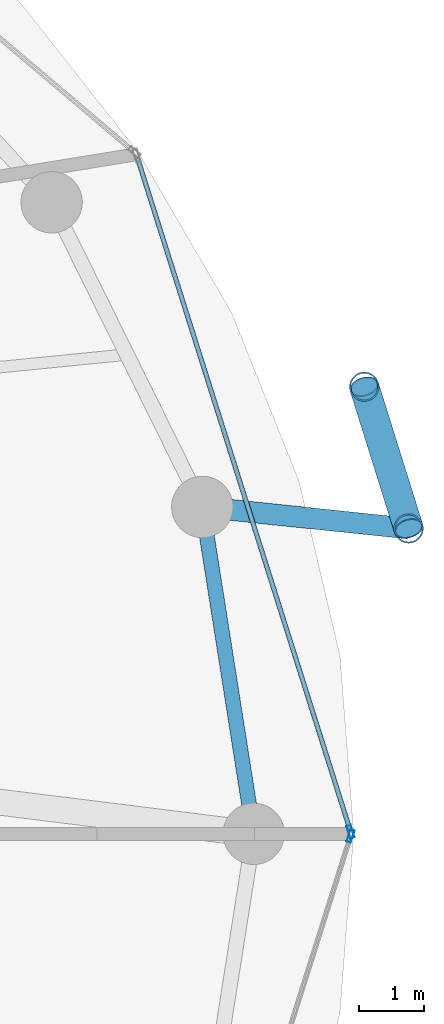
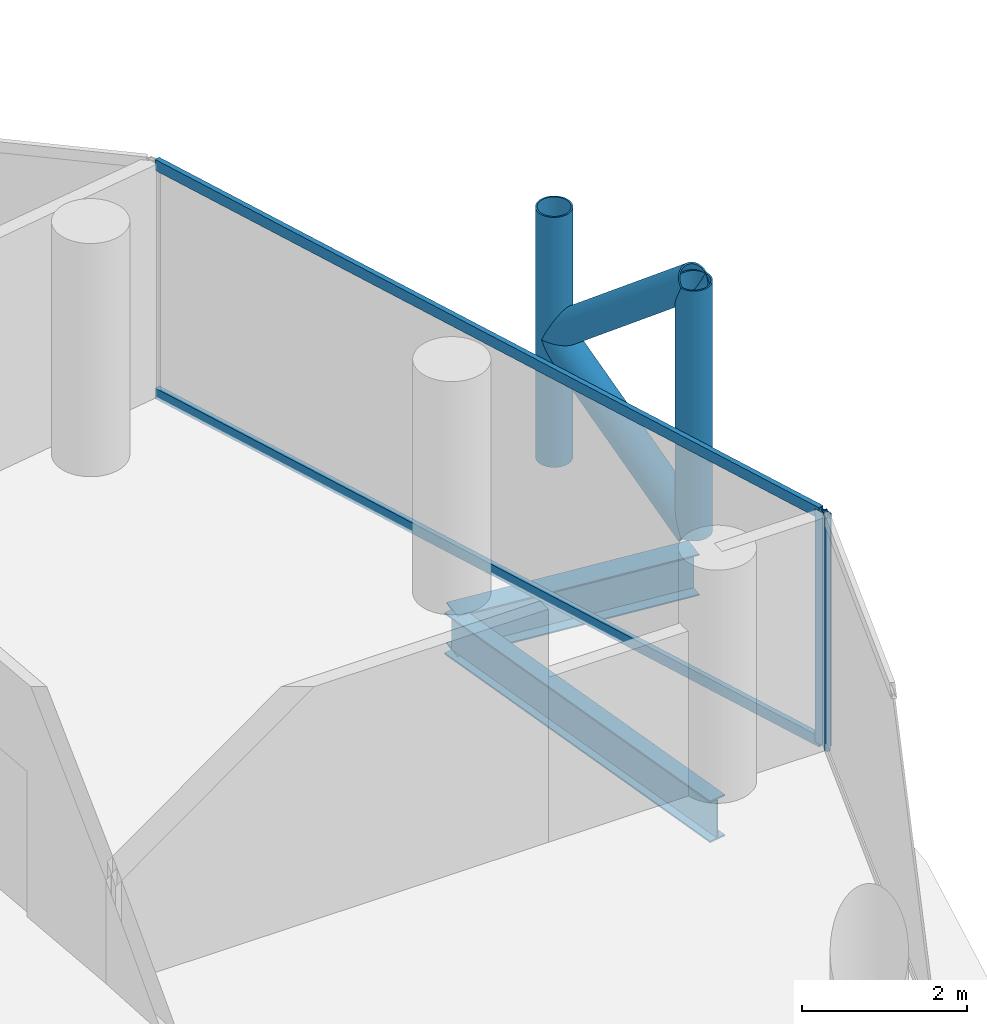
# One storey, part 12 of 26: 8 members, 2 beams, 2 elements without a shape of their own.
"""IFC4 building model written with IfcOpenShell, lengths in metres."""

from ifc_helpers import new_model, si_unit, direction, frame, origin, origin_2d, place, context, subcontext, project, spatial, hollow_rectangle, hollow_circle, i_section, extrude, material, layer, layer_set, material_profile, profile_set, type_object, element, aggregate, save


model = new_model("IFC4")

# Units and contexts
model_context = context("Model", 3, precision=1e-05, world=origin(), true_north=direction((0.0, 1.0)))
body_context = subcontext(model_context, "Body", "Model", "MODEL_VIEW")
ifc_project = project(units=[si_unit("LENGTHUNIT", "METRE"), si_unit("AREAUNIT", "SQUARE_METRE"), si_unit("VOLUMEUNIT", "CUBIC_METRE"), si_unit("PLANEANGLEUNIT", "RADIAN"), si_unit("MASSUNIT", "GRAM", prefix="KILO")], contexts=[model_context])

# Site, building, storey
site_placement = place(None, origin())
site = spatial("IfcSite", under=ifc_project, at=site_placement, CompositionType="ELEMENT")
building_placement = place(site_placement, origin())
building = spatial("IfcBuilding", under=site, at=building_placement, Name="Nuhasar Tower", CompositionType="ELEMENT")
storey_placement = place(building_placement, frame((0.0, 0.0, 188.550048828125)))
storey = spatial("IfcBuildingStorey", under=building, at=storey_placement, Name="L46", CompositionType="ELEMENT", Elevation=188.550048828125)

# Beams
ifc_material_1 = material(Name="Steel S355", Category="steel")
ifc_material_profile_1 = material_profile(ifc_material_1, i_section(OverallWidth=0.22998046875, OverallDepth=0.616943359375, WebThickness=0.01318359375, FlangeThickness=0.022216796875, at=origin_2d()), Name="W24X94")
ifc_profile_set_1 = profile_set([ifc_material_profile_1], Name="Steel S355")
beam_type_1 = type_object("IfcBeamType", Name="BM-RING-W24X94", PredefinedType="SPANDREL", material=ifc_profile_set_1)
beam_1_placement = place(storey_placement, frame((62.35009765625, 26.800048828125, -0.55810546875), z_axis=(-0.155426543608, 0.987847452566, 0.0), x_axis=(-0.987847452566, -0.155426543608, 0.0)))
element("IfcBeam", 1, at=beam_1_placement, inside=storey, type_object=beam_type_1, Name="L46 Perimeter Ring Spandrel 01", PredefinedType="SPANDREL", context=body_context, shape_type="SweptSolid", body=[
    extrude(i_section(OverallWidth=0.22998046875, OverallDepth=0.616943359375, WebThickness=0.01318359375, FlangeThickness=0.022216796875, at=origin_2d()), origin(), (0.0, 0.0, 1.0), 5.122314453125),
])
ifc_material_profile_2 = material_profile(ifc_material_1, i_section(OverallWidth=0.323974609375, OverallDepth=0.611083984375, WebThickness=0.0126953125, FlangeThickness=0.01904296875, at=origin_2d()), Name="W24X104")
ifc_profile_set_2 = profile_set([ifc_material_profile_2], Name="Steel S355")
beam_type_2 = type_object("IfcBeamType", Name="BM-TIE-W24X104", PredefinedType="BEAM", material=ifc_profile_set_2)
beam_2_placement = place(storey_placement, frame((61.553955078125, 31.860107421875, -0.554931640625), z_axis=(0.994569828715, -0.104071397654, 0.0), x_axis=(0.104071397654, 0.994569828715, 0.0)))
element("IfcBeam", 2, at=beam_2_placement, inside=storey, type_object=beam_type_2, Name="L46 Exoskeleton Node Tie Beam 01", PredefinedType="BEAM", context=body_context, shape_type="SweptSolid", body=[
    extrude(i_section(OverallWidth=0.323974609375, OverallDepth=0.611083984375, WebThickness=0.0126953125, FlangeThickness=0.01904296875, at=origin_2d()), origin(), (0.0, 0.0, 1.0), 3.21142578125),
])

# Curtain wall, member
ifc_material_2 = material(Name="Aluminium 6063-T6", Category="aluminium")
ifc_layer = layer(ifc_material_2, 0.199951171875)
ifc_layer_set = layer_set([ifc_layer], Name="Aluminium 6063-T6")
curtain_wall_type = type_object("IfcCurtainWallType", Name="CW-Z2-HTL", PredefinedType="NOTDEFINED", material=ifc_layer_set)
curtain_wall_1_placement = place(storey_placement, origin())
curtain_wall_1 = element("IfcCurtainWall", 3, at=curtain_wall_1_placement, inside=storey, type_object=curtain_wall_type, Name="L46 Unitised Curtain Wall 01", PredefinedType="NOTDEFINED")
ifc_material_profile_3 = material_profile(ifc_material_2, hollow_rectangle(XDim=0.070068359375, YDim=0.199951171875, WallThickness=0.0048828125, at=origin_2d()), Name="CWM-3")
ifc_profile_set_3 = profile_set([ifc_material_profile_3], Name="Aluminium 6063-T6")
member_type_1 = type_object("IfcMemberType", Name="CW-MUL-S3", PredefinedType="MULLION", material=ifc_profile_set_3)
member_1_placement = place(storey_placement, frame((63.849365234375, 26.833251953125, 0.0), z_axis=(0.0, 0.0, 1.0), x_axis=(-0.953433389233, -0.301603667577, 0.0)))
member_1 = element("IfcMember", 4, at=member_1_placement, type_object=member_type_1, Name="CW-Z2 mullion 1", PredefinedType="MULLION", context=body_context, shape_type="SweptSolid", body=[
    extrude(hollow_rectangle(XDim=0.070068359375, YDim=0.199951171875, WallThickness=0.0048828125, at=origin_2d()), origin(), (0.0, 0.0, 1.0), 3.449951171875),
])

curtain_wall_2_placement = place(storey_placement, origin())
curtain_wall_2 = element("IfcCurtainWall", 5, at=curtain_wall_2_placement, inside=storey, type_object=curtain_wall_type, Name="L46 Unitised Curtain Wall 12", PredefinedType="NOTDEFINED")
member_2_placement = place(storey_placement, frame((63.849365234375, 26.7666015625, 0.0), z_axis=(0.0, 0.0, 1.0), x_axis=(-0.953433389233, 0.301603667577, 0.0)))
member_2 = element("IfcMember", 6, at=member_2_placement, type_object=member_type_1, Name="CW-Z2 mullion 2", PredefinedType="MULLION", context=body_context, shape_type="SweptSolid", body=[
    extrude(hollow_rectangle(XDim=0.070068359375, YDim=0.199951171875, WallThickness=0.0048828125, at=origin_2d()), origin(), (0.0, 0.0, 1.0), 3.449951171875),
])
aggregate(curtain_wall_2, [member_2])

# Member
ifc_material_profile_4 = material_profile(ifc_material_2, hollow_rectangle(XDim=0.070068359375, YDim=0.159912109375, WallThickness=0.00439453125, at=origin_2d()), Name="CWT-3")
ifc_profile_set_4 = profile_set([ifc_material_profile_4], Name="Aluminium 6063-T6")
member_type_2 = type_object("IfcMemberType", Name="CW-TRN-S3", PredefinedType="USERDEFINED", material=ifc_profile_set_4)
member_3_placement = place(storey_placement, frame((63.8388671875, 26.86669921875, 0.034912109375), z_axis=(-0.301608163352, 0.953431967053, 0.0), x_axis=(-0.953431967053, -0.301608163352, 0.0)))
member_3 = element("IfcMember", 7, at=member_3_placement, type_object=member_type_2, Name="CW-Z2 transom 1.1", ObjectType="TRANSOM", PredefinedType="USERDEFINED", context=body_context, shape_type="SweptSolid", body=[
    extrude(hollow_rectangle(XDim=0.070068359375, YDim=0.159912109375, WallThickness=0.00439453125, at=origin_2d()), origin(), (0.0, 0.0, 1.0), 10.904296875),
])

member_4_placement = place(storey_placement, frame((63.8388671875, 26.86669921875, 3.4150390625), z_axis=(-0.301608163352, 0.953431967053, 0.0), x_axis=(-0.953431967053, -0.301608163352, 0.0)))
member_4 = element("IfcMember", 8, at=member_4_placement, type_object=member_type_2, Name="CW-Z2 transom 1.2", ObjectType="TRANSOM", PredefinedType="USERDEFINED", context=body_context, shape_type="SweptSolid", body=[
    extrude(hollow_rectangle(XDim=0.070068359375, YDim=0.159912109375, WallThickness=0.00439453125, at=origin_2d()), origin(), (0.0, 0.0, 1.0), 10.904296875),
])

aggregate(curtain_wall_1, [member_1, member_3, member_4])

# Members
ifc_material_3 = material(Name="Steel S460", Category="steel")
ifc_material_profile_5 = material_profile(ifc_material_3, hollow_circle(Radius=0.228515625, WallThickness=0.022216796875, at=origin_2d()), Name="HSS457X22.2")
ifc_profile_set_5 = profile_set([ifc_material_profile_5], Name="Steel S460")
member_type_3 = type_object("IfcMemberType", Name="EXO-BRONZE-457", PredefinedType="BRACE", material=ifc_profile_set_5)
for number, where, z_axis, x_axis, name in (
    (9, (64.748046875, 31.52587890625, 0.0), (0.0, 0.0, 1.0), (1.0, 0.0, 0.0), "L46 Exoskeleton Chord Column EC-01A"),
    (10, (64.06005859375, 33.720947265625, 0.0), (0.0, 0.0, 1.0), (1.0, 0.0, 0.0), "L46 Exoskeleton Chord Column EC-01B"),
):
    element("IfcMember", number, at=place(storey_placement, frame(where, z_axis=z_axis, x_axis=x_axis)), inside=storey, type_object=member_type_3, Name=name, PredefinedType="BRACE", context=body_context, shape_type="SweptSolid", body=[
        extrude(hollow_circle(Radius=0.228515625, WallThickness=0.022216796875, at=origin_2d()), origin(), (0.0, 0.0, 1.0), 3.699951171875),
    ])
member_5_placement = place(storey_placement, frame((64.748046875, 31.52587890625, 0.0), z_axis=(-0.233067628236, 0.74361641074, 0.626669062861), x_axis=(-0.954228474306, -0.29907861646, 0.0)))
element("IfcMember", 11, at=member_5_placement, inside=storey, type_object=member_type_3, Name="L46 Bronze Diagrid Brace W1-01", PredefinedType="BRACE", context=body_context, shape_type="SweptSolid", body=[
    extrude(hollow_circle(Radius=0.228515625, WallThickness=0.022216796875, at=origin_2d()), origin(), (0.0, 0.0, 1.0), 2.951904296875),
])
member_6_placement = place(storey_placement, frame((64.06005859375, 33.720947265625, 1.849853515625), z_axis=(0.233055548538, -0.743577869731, 0.626719285599), x_axis=(0.954228474306, 0.29907861646, 0.0)))
element("IfcMember", 12, at=member_6_placement, inside=storey, type_object=member_type_3, Name="L46 Bronze Diagrid Brace W2-01", PredefinedType="BRACE", context=body_context, shape_type="SweptSolid", body=[
    extrude(hollow_circle(Radius=0.228515625, WallThickness=0.022216796875, at=origin_2d()), origin(), (0.0, 0.0, 1.0), 2.9521484375),
])

save(model, "model.ifc")
